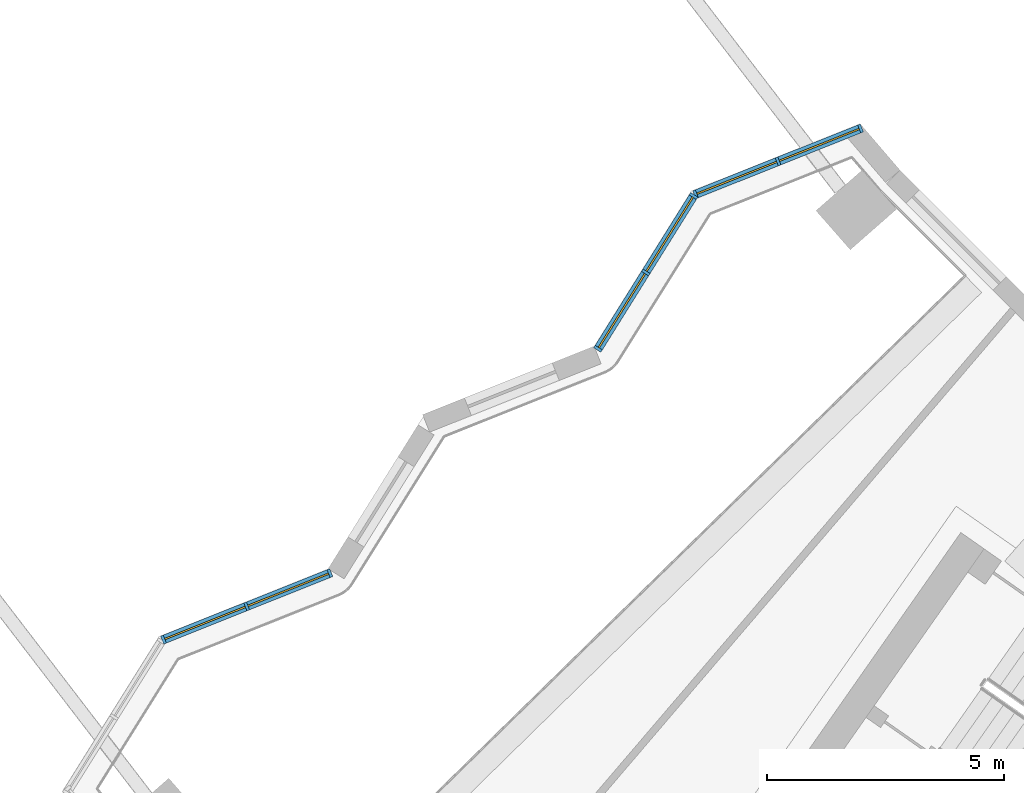
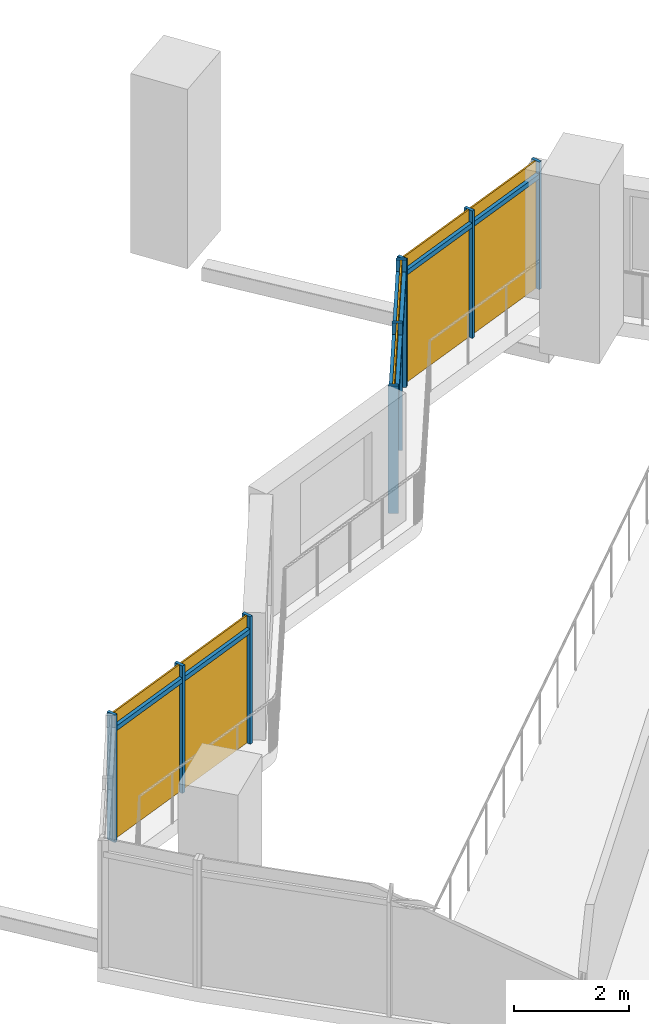
# One storey, part 18 of 27: 15 members, 3 curtain walls.
"""IFC4 building model written with IfcOpenShell, lengths in metres."""

from ifc_helpers import new_model, si_unit, direction, frame, origin, origin_2d, place, context, subcontext, project, spatial, rectangle, extrude, material, material_profile, profile_set, type_object, element, aggregate, save


model = new_model("IFC4")

# Units and contexts
model_context = context("Model", 3, precision=1e-05, world=origin(), true_north=direction((0.0, 1.0)))
body_context = subcontext(model_context, "Body", "Model", "MODEL_VIEW")
ifc_project = project(units=[si_unit("LENGTHUNIT", "METRE"), si_unit("AREAUNIT", "SQUARE_METRE"), si_unit("VOLUMEUNIT", "CUBIC_METRE"), si_unit("PLANEANGLEUNIT", "RADIAN"), si_unit("MASSUNIT", "GRAM", prefix="KILO")], contexts=[model_context])

# Member
ifc_material = material(Name="Aluminium 6063-T6 anodised", Category="aluminium")
ifc_material_profile_1 = material_profile(ifc_material, rectangle(XDim=0.179931640625, YDim=0.06005859375, at=origin_2d()))
ifc_profile_set_1 = profile_set([ifc_material_profile_1], Name="Aluminium 6063-T6 anodised")
member_type_1 = type_object("IfcMemberType", Name="Mullion 60 x 180 aluminium, garden", PredefinedType="MULLION", material=ifc_profile_set_1)
site_placement = place(None, origin())
building_placement = place(site_placement, origin())
storey_placement = place(building_placement, frame((0.0, 0.0, 153.10009765625)))
member_1_placement = place(storey_placement, frame((-43.7041015625, -36.6845703125, 0.0), z_axis=(0.0, 0.0, 1.0), x_axis=(0.370523047259, -0.928823272453, 0.0)))
member_1 = element("IfcMember", 1, at=member_1_placement, type_object=member_type_1, Name="e-cw4-L35-capW0/M00", PredefinedType="MULLION", context=body_context, shape_type="SweptSolid", body=[
    extrude(rectangle(XDim=0.179931640625, YDim=0.06005859375, at=origin_2d()), origin(), (0.0, 0.0, 1.0), 2.699951171875),
])

member_2_placement = place(storey_placement, frame((-45.447509765625, -37.380126953125, 0.0), z_axis=(0.0, 0.0, 1.0), x_axis=(0.370523047259, -0.928823272453, 0.0)))
member_2 = element("IfcMember", 2, at=member_2_placement, type_object=member_type_1, Name="e-cw4-L35-capW0/M01", PredefinedType="MULLION", context=body_context, shape_type="SweptSolid", body=[
    extrude(rectangle(XDim=0.179931640625, YDim=0.06005859375, at=origin_2d()), origin(), (0.0, 0.0, 1.0), 2.699951171875),
])

member_3_placement = place(storey_placement, frame((-47.19091796875, -38.07568359375, 0.0), z_axis=(0.0, 0.0, 1.0), x_axis=(0.370523047259, -0.928823272453, 0.0)))
member_3 = element("IfcMember", 3, at=member_3_placement, type_object=member_type_1, Name="e-cw4-L35-capW0/M02", PredefinedType="MULLION", context=body_context, shape_type="SweptSolid", body=[
    extrude(rectangle(XDim=0.179931640625, YDim=0.06005859375, at=origin_2d()), origin(), (0.0, 0.0, 1.0), 2.699951171875),
])

member_4_placement = place(storey_placement, frame((-47.234619140625, -38.112060546875, 0.0), z_axis=(0.0, 0.0, 1.0), x_axis=(0.847952918296, -0.530071550221, 0.0)))
member_4 = element("IfcMember", 4, at=member_4_placement, type_object=member_type_1, Name="e-cw4-L35-capW1/M00", PredefinedType="MULLION", context=body_context, shape_type="SweptSolid", body=[
    extrude(rectangle(XDim=0.179931640625, YDim=0.06005859375, at=origin_2d()), origin(), (0.0, 0.0, 1.0), 2.699951171875),
])

member_5_placement = place(storey_placement, frame((-48.244384765625, -39.727294921875, 0.0), z_axis=(0.0, 0.0, 1.0), x_axis=(0.847952918296, -0.530071550221, 0.0)))
member_5 = element("IfcMember", 5, at=member_5_placement, type_object=member_type_1, Name="e-cw4-L35-capW1/M01", PredefinedType="MULLION", context=body_context, shape_type="SweptSolid", body=[
    extrude(rectangle(XDim=0.179931640625, YDim=0.06005859375, at=origin_2d()), origin(), (0.0, 0.0, 1.0), 2.699951171875),
])

member_6_placement = place(storey_placement, frame((-49.25390625, -41.34228515625, 0.0), z_axis=(0.0, 0.0, 1.0), x_axis=(0.847952918296, -0.530071550221, 0.0)))
member_6 = element("IfcMember", 6, at=member_6_placement, type_object=member_type_1, Name="e-cw4-L35-capW1/M02", PredefinedType="MULLION", context=body_context, shape_type="SweptSolid", body=[
    extrude(rectangle(XDim=0.179931640625, YDim=0.06005859375, at=origin_2d()), origin(), (0.0, 0.0, 1.0), 2.699951171875),
])

member_7_placement = place(storey_placement, frame((-54.921630859375, -46.0849609375, 0.0), z_axis=(0.0, 0.0, 1.0), x_axis=(0.370690653522, -0.928756393998, 0.0)))
member_7 = element("IfcMember", 7, at=member_7_placement, type_object=member_type_1, Name="e-cw4-L35-capW4/M00", PredefinedType="MULLION", context=body_context, shape_type="SweptSolid", body=[
    extrude(rectangle(XDim=0.179931640625, YDim=0.06005859375, at=origin_2d()), origin(), (0.0, 0.0, 1.0), 2.699951171875),
])

member_8_placement = place(storey_placement, frame((-56.68115234375, -46.787353515625, 0.0), z_axis=(0.0, 0.0, 1.0), x_axis=(0.370690653522, -0.928756393998, 0.0)))
member_8 = element("IfcMember", 8, at=member_8_placement, type_object=member_type_1, Name="e-cw4-L35-capW4/M01", PredefinedType="MULLION", context=body_context, shape_type="SweptSolid", body=[
    extrude(rectangle(XDim=0.179931640625, YDim=0.06005859375, at=origin_2d()), origin(), (0.0, 0.0, 1.0), 2.699951171875),
])

member_9_placement = place(storey_placement, frame((-58.440673828125, -47.489501953125, 0.0), z_axis=(0.0, 0.0, 1.0), x_axis=(0.370690653522, -0.928756393998, 0.0)))
member_9 = element("IfcMember", 9, at=member_9_placement, type_object=member_type_1, Name="e-cw4-L35-capW4/M02", PredefinedType="MULLION", context=body_context, shape_type="SweptSolid", body=[
    extrude(rectangle(XDim=0.179931640625, YDim=0.06005859375, at=origin_2d()), origin(), (0.0, 0.0, 1.0), 2.699951171875),
])

ifc_material_profile_2 = material_profile(ifc_material, rectangle(XDim=0.179931640625, YDim=0.10009765625, at=origin_2d()))
ifc_profile_set_2 = profile_set([ifc_material_profile_2], Name="Aluminium 6063-T6 anodised")
member_type_2 = type_object("IfcMemberType", Name="Transom 100 x 180 aluminium, garden", PredefinedType="USERDEFINED", material=ifc_profile_set_2)
member_10_placement = place(storey_placement, frame((-43.73193359375, -36.69580078125, 2.39990234375), z_axis=(-0.928856129959, -0.370440669795, 0.0), x_axis=(0.370440669795, -0.928856129959, 0.0)))
member_10 = element("IfcMember", 10, at=member_10_placement, type_object=member_type_2, Name="e-cw4-L35-capW0/T00", ObjectType="TRANSOM", PredefinedType="USERDEFINED", context=body_context, shape_type="SweptSolid", body=[
    extrude(rectangle(XDim=0.179931640625, YDim=0.10009765625, at=origin_2d()), origin(), (0.0, 0.0, 1.0), 1.81689453125),
])

member_11_placement = place(storey_placement, frame((-45.475341796875, -37.39111328125, 2.39990234375), z_axis=(-0.928809892353, -0.370556586592, 0.0), x_axis=(0.370556586592, -0.928809892353, 0.0)))
member_11 = element("IfcMember", 11, at=member_11_placement, type_object=member_type_2, Name="e-cw4-L35-capW0/T01", ObjectType="TRANSOM", PredefinedType="USERDEFINED", context=body_context, shape_type="SweptSolid", body=[
    extrude(rectangle(XDim=0.179931640625, YDim=0.10009765625, at=origin_2d()), origin(), (0.0, 0.0, 1.0), 1.817138671875),
])

member_12_placement = place(storey_placement, frame((-47.250732421875, -38.1376953125, 2.39990234375), z_axis=(-0.530117913684, -0.847923933847, 0.0), x_axis=(0.847923933847, -0.530117913684, 0.0)))
member_12 = element("IfcMember", 12, at=member_12_placement, type_object=member_type_2, Name="e-cw4-L35-capW1/T00", ObjectType="TRANSOM", PredefinedType="USERDEFINED", context=body_context, shape_type="SweptSolid", body=[
    extrude(rectangle(XDim=0.179931640625, YDim=0.10009765625, at=origin_2d()), origin(), (0.0, 0.0, 1.0), 1.844482421875),
])

member_13_placement = place(storey_placement, frame((-48.26025390625, -39.752685546875, 2.39990234375), z_axis=(-0.530058421472, -0.847961125186, 0.0), x_axis=(0.847961125186, -0.530058421472, 0.0)))
member_13 = element("IfcMember", 13, at=member_13_placement, type_object=member_type_2, Name="e-cw4-L35-capW1/T01", ObjectType="TRANSOM", PredefinedType="USERDEFINED", context=body_context, shape_type="SweptSolid", body=[
    extrude(rectangle(XDim=0.179931640625, YDim=0.10009765625, at=origin_2d()), origin(), (0.0, 0.0, 1.0), 1.8447265625),
])

member_14_placement = place(storey_placement, frame((-54.949462890625, -46.09619140625, 2.39990234375), z_axis=(-0.928779258403, -0.37063336218, 0.0), x_axis=(0.37063336218, -0.928779258403, 0.0)))
member_14 = element("IfcMember", 14, at=member_14_placement, type_object=member_type_2, Name="e-cw4-L35-capW4/T00", ObjectType="TRANSOM", PredefinedType="USERDEFINED", context=body_context, shape_type="SweptSolid", body=[
    extrude(rectangle(XDim=0.179931640625, YDim=0.10009765625, at=origin_2d()), origin(), (0.0, 0.0, 1.0), 1.83447265625),
])

member_15_placement = place(storey_placement, frame((-56.708984375, -46.79833984375, 2.39990234375), z_axis=(-0.928733441877, -0.37074815433, 0.0), x_axis=(0.37074815433, -0.928733441877, 0.0)))
member_15 = element("IfcMember", 15, at=member_15_placement, type_object=member_type_2, Name="e-cw4-L35-capW4/T01", ObjectType="TRANSOM", PredefinedType="USERDEFINED", context=body_context, shape_type="SweptSolid", body=[
    extrude(rectangle(XDim=0.179931640625, YDim=0.10009765625, at=origin_2d()), origin(), (0.0, 0.0, 1.0), 1.834716796875),
])

# Site, building, storey
site = spatial("IfcSite", under=ifc_project, at=site_placement, CompositionType="ELEMENT")
building = spatial("IfcBuilding", under=site, at=building_placement, Name="Qamariyya Broadcast Tower", CompositionType="ELEMENT")
storey = spatial("IfcBuildingStorey", under=building, at=storey_placement, Name="L35", CompositionType="ELEMENT", Elevation=153.10009765625)

# Curtain wall
curtain_wall_type = type_object("IfcCurtainWallType", Name="Sky garden enclosure curtain wall", PredefinedType="NOTDEFINED", material=ifc_material)
curtain_wall_1_placement = place(storey_placement, origin())
curtain_wall_1 = element("IfcCurtainWall", 16, at=curtain_wall_1_placement, inside=storey, type_object=curtain_wall_type, Name="e-cw4-L35-capW0", PredefinedType="NOTDEFINED", context=body_context, shape_type="SweptSolid", body=[
    extrude(rectangle(XDim=1.81689453125, YDim=0.031982421875, at=origin_2d()), frame((-44.575927734375, -37.032470703125, 0.0), x_axis=(-0.928829446551, -0.37050756972, 0.0)), (0.0, 0.0, 1.0), 2.35009765625),
    extrude(rectangle(XDim=1.81689453125, YDim=0.031982421875, at=origin_2d()), frame((-44.575927734375, -37.032470703125, 2.449951171875), x_axis=(-0.928829446551, -0.37050756972, 0.0)), (0.0, 0.0, 1.0), 0.25),
    extrude(rectangle(XDim=1.81689453125, YDim=0.031982421875, at=origin_2d()), frame((-46.319091796875, -37.727783203125, 0.0), x_axis=(-0.928829446551, -0.37050756972, 0.0)), (0.0, 0.0, 1.0), 2.35009765625),
    extrude(rectangle(XDim=1.81689453125, YDim=0.031982421875, at=origin_2d()), frame((-46.319091796875, -37.727783203125, 2.449951171875), x_axis=(-0.928829446551, -0.37050756972, 0.0)), (0.0, 0.0, 1.0), 0.25),
])

aggregate(curtain_wall_1, [member_1, member_2, member_3, member_10, member_11])

curtain_wall_2_placement = place(storey_placement, origin())
curtain_wall_2 = element("IfcCurtainWall", 17, at=curtain_wall_2_placement, inside=storey, type_object=curtain_wall_type, Name="e-cw4-L35-capW1", PredefinedType="NOTDEFINED", context=body_context, shape_type="SweptSolid", body=[
    extrude(rectangle(XDim=1.8447265625, YDim=0.031982421875, at=origin_2d()), frame((-47.739501953125, -38.919677734375, 0.0), x_axis=(-0.530072668598, -0.847952219176, 0.0)), (0.0, 0.0, 1.0), 2.35009765625),
    extrude(rectangle(XDim=1.8447265625, YDim=0.031982421875, at=origin_2d()), frame((-47.739501953125, -38.919677734375, 2.449951171875), x_axis=(-0.530072668598, -0.847952219176, 0.0)), (0.0, 0.0, 1.0), 0.25),
    extrude(rectangle(XDim=1.8447265625, YDim=0.031982421875, at=origin_2d()), frame((-48.7490234375, -40.53466796875, 0.0), x_axis=(-0.530072668598, -0.847952219176, 0.0)), (0.0, 0.0, 1.0), 2.35009765625),
    extrude(rectangle(XDim=1.8447265625, YDim=0.031982421875, at=origin_2d()), frame((-48.7490234375, -40.53466796875, 2.449951171875), x_axis=(-0.530072668598, -0.847952219176, 0.0)), (0.0, 0.0, 1.0), 0.25),
])

aggregate(curtain_wall_2, [member_4, member_5, member_6, member_12, member_13])

curtain_wall_3_placement = place(storey_placement, origin())
curtain_wall_3 = element("IfcCurtainWall", 18, at=curtain_wall_3_placement, inside=storey, type_object=curtain_wall_type, Name="e-cw4-L35-capW4", PredefinedType="NOTDEFINED", context=body_context, shape_type="SweptSolid", body=[
    extrude(rectangle(XDim=1.83447265625, YDim=0.031982421875, at=origin_2d()), frame((-55.801513671875, -46.436279296875, 0.0), x_axis=(-0.928756398285, -0.37069064278, 0.0)), (0.0, 0.0, 1.0), 2.35009765625),
    extrude(rectangle(XDim=1.83447265625, YDim=0.031982421875, at=origin_2d()), frame((-55.801513671875, -46.436279296875, 2.449951171875), x_axis=(-0.928756398285, -0.37069064278, 0.0)), (0.0, 0.0, 1.0), 0.25),
    extrude(rectangle(XDim=1.83447265625, YDim=0.031982421875, at=origin_2d()), frame((-57.560791015625, -47.138427734375, 0.0), x_axis=(-0.928756398285, -0.37069064278, 0.0)), (0.0, 0.0, 1.0), 2.35009765625),
    extrude(rectangle(XDim=1.83447265625, YDim=0.031982421875, at=origin_2d()), frame((-57.560791015625, -47.138427734375, 2.449951171875), x_axis=(-0.928756398285, -0.37069064278, 0.0)), (0.0, 0.0, 1.0), 0.25),
])

aggregate(curtain_wall_3, [member_7, member_8, member_9, member_14, member_15])

save(model, "model.ifc")
